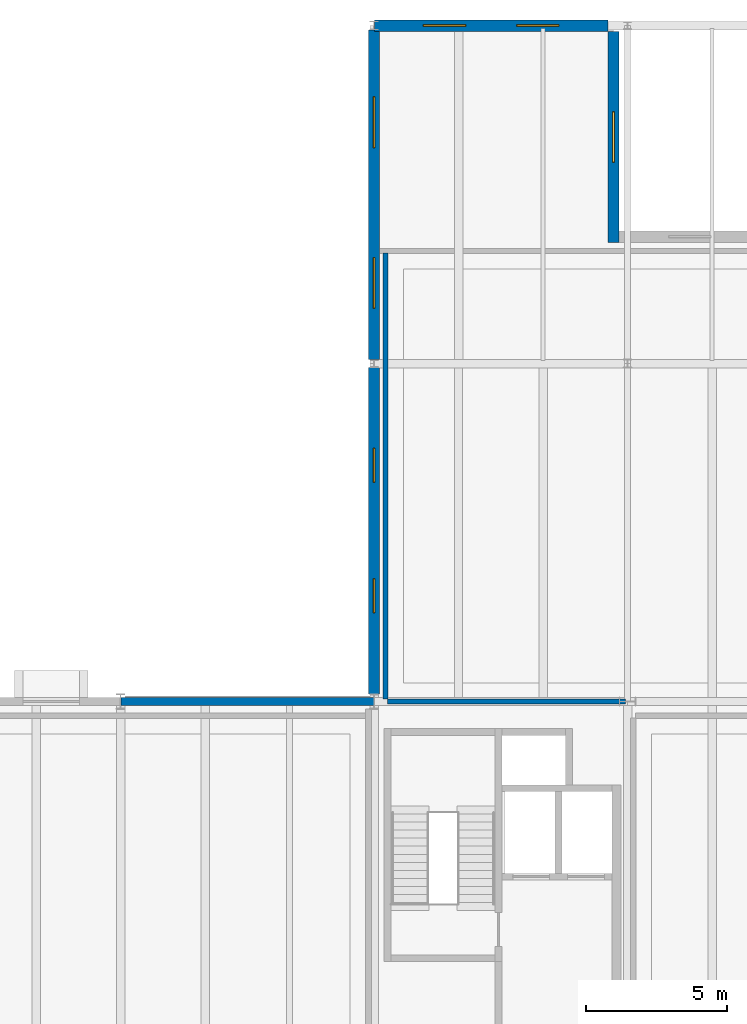
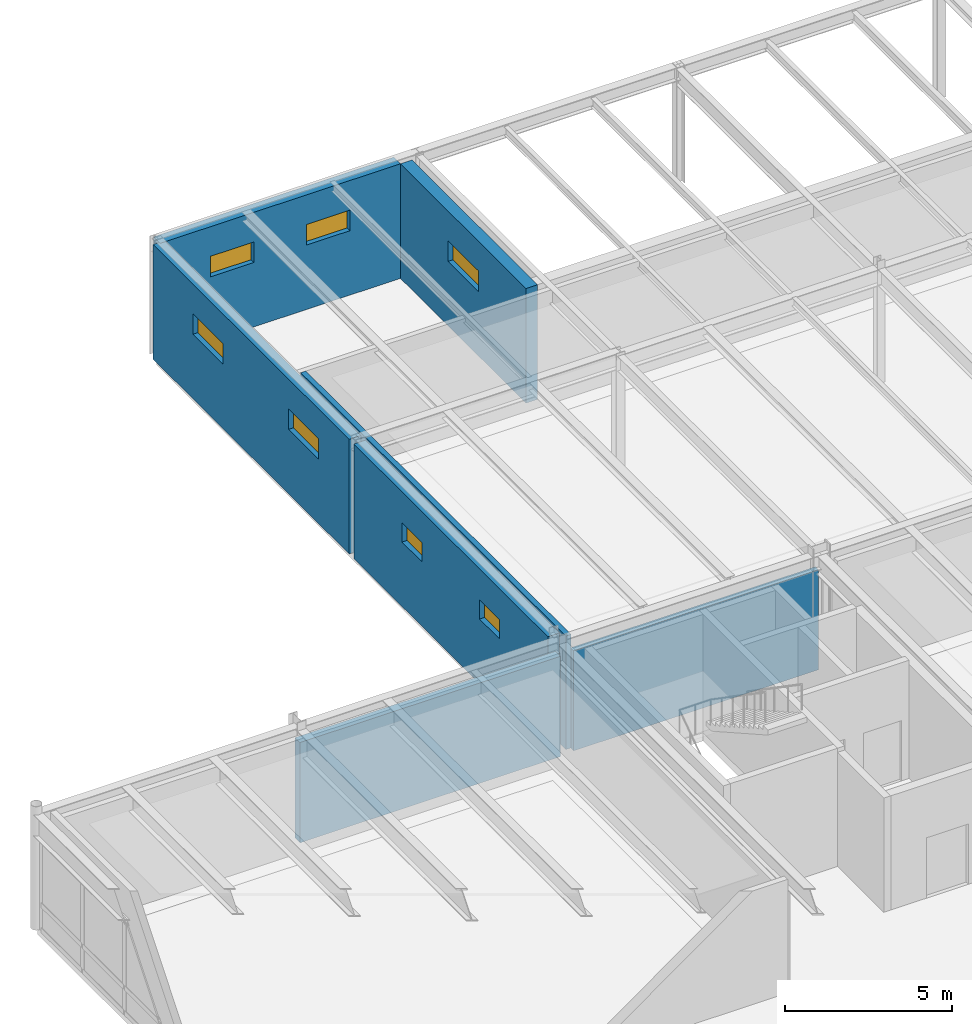
# One storey, part 115 of 127: 7 walls, 7 windows, 7 openings.
"""IFC4 building model written with IfcOpenShell, lengths in metres."""

import ifcopenshell
import ifcopenshell.guid

model = None  # the IFC model being written
_history = None  # IfcOwnerHistory: only IFC2X3 demands one
_inside = {}  # id of a spatial element -> (the spatial element, [elements in it])
_under = {}  # id of a project, library or spatial element -> (it, [spatial elements below it])
_declared = {}  # id of a project -> (the project, [libraries it declares])
_typed = {}  # id of a type object -> (the type object, [elements of that type])
_made_of = {}  # id of a material, layer set ... -> (it, [elements and type objects made of it])


def new_model(schema):
    """Start an empty IFC model of exactly this schema.

    Asked for "IFC4X3", IfcOpenShell would pick the latest addendum, in which some entities
    have other attributes; the version numbers below select the first issue.
    IFC2X3 requires an IfcOwnerHistory on every rooted entity: one is made here for all.
    """
    global model, _history
    if schema == "IFC4X3":
        model = ifcopenshell.file(schema_version=(4, 3, 0, 0))
    else:
        model = ifcopenshell.file(schema=schema)
    _inside.clear()
    _under.clear()
    _declared.clear()
    _typed.clear()
    _made_of.clear()
    _history = None
    if model.schema == "IFC2X3":
        org = make("IfcOrganization", Name="unknown")
        user = make(
            "IfcPersonAndOrganization",
            ThePerson=make("IfcPerson", FamilyName="unknown"),
            TheOrganization=org,
        )
        app = make(
            "IfcApplication",
            ApplicationDeveloper=org,
            Version="unknown",
            ApplicationFullName="unknown",
            ApplicationIdentifier="unknown",
        )
        _history = make(
            "IfcOwnerHistory",
            OwningUser=user,
            OwningApplication=app,
            ChangeAction="ADDED",
            CreationDate=0,
        )
    return model


def make(cls, **values):
    """One entity of the class cls with the attributes given. An attribute that is None is left unset."""
    return model.create_entity(
        cls, **{name: value for name, value in values.items() if value is not None}
    )


def rooted(cls, **values):
    """An entity with a GlobalId (a new one), such as an element, a storey or a relation."""
    return make(cls, GlobalId=ifcopenshell.guid.new(), OwnerHistory=_history, **values)


def si_unit(unit_type, name, prefix=None):
    """IfcSIUnit, for example si_unit("LENGTHUNIT", "METRE", prefix="MILLI")."""
    return make("IfcSIUnit", UnitType=unit_type, Prefix=prefix, Name=name)


def assignment(units):
    """IfcUnitAssignment: the units of a project."""
    return None if units is None else make("IfcUnitAssignment", Units=units)


def point(xyz):
    """IfcCartesianPoint."""
    return None if xyz is None else make("IfcCartesianPoint", Coordinates=xyz)


def direction(xyz):
    """IfcDirection."""
    return None if xyz is None else make("IfcDirection", DirectionRatios=xyz)


def frame(location, z_axis=None, x_axis=None):
    """IfcAxis2Placement3D, a coordinate frame: its origin and axes. An axis left out is left unset."""
    return make(
        "IfcAxis2Placement3D",
        Location=point(location),
        Axis=direction(z_axis),
        RefDirection=direction(x_axis),
    )


def frame_2d(location, x_axis=None):
    """IfcAxis2Placement2D, a coordinate frame in the plane: its origin and x axis."""
    return make(
        "IfcAxis2Placement2D", Location=point(location), RefDirection=direction(x_axis)
    )


def origin():
    """The frame at (0, 0, 0) with its axes left unset."""
    return frame((0.0, 0.0, 0.0))


def place(relative_to, where):
    """IfcLocalPlacement: puts the frame where relative to a parent placement (None: the world)."""
    return make(
        "IfcLocalPlacement", PlacementRelTo=relative_to, RelativePlacement=where
    )


def context(
    kind, dimensions, precision=None, world=None, true_north=None, identifier=None
):
    """IfcGeometricRepresentationContext, for example the 3D "Model" context."""
    return make(
        "IfcGeometricRepresentationContext",
        ContextIdentifier=identifier,
        ContextType=kind,
        CoordinateSpaceDimension=dimensions,
        Precision=precision,
        WorldCoordinateSystem=world,
        TrueNorth=true_north,
    )


def subcontext(parent, identifier, kind, view, scale=None):
    """IfcGeometricRepresentationSubContext, for example "Body" below "Model"."""
    return make(
        "IfcGeometricRepresentationSubContext",
        ContextIdentifier=identifier,
        ContextType=kind,
        ParentContext=parent,
        TargetScale=scale,
        TargetView=view,
    )


def project(units=None, contexts=None):
    """IfcProject with its units and contexts."""
    return rooted(
        "IfcProject",
        Name="project",
        RepresentationContexts=contexts,
        UnitsInContext=assignment(units),
    )


def spatial(cls, under=None, at=None, **own):
    """A site, building, storey or space (cls), placed at a placement, below another one or the project."""
    s = rooted(cls, ObjectPlacement=at, **own)
    if under is not None:
        _under.setdefault(under.id(), (under, []))[1].append(s)
    return s


def profile(cls, at=None, kind="AREA", **sizes):
    """A parametric profile (cls). Its sizes go by their IFC names, for example OverallWidth=200.0."""
    return make(cls, ProfileType=kind, Position=at, **sizes)


def rectangle(**sizes):
    """IfcRectangleProfileDef."""
    return profile("IfcRectangleProfileDef", **sizes)


def extrude(swept, where, along, depth):
    """IfcExtrudedAreaSolid: the profile swept, set in the frame where, extruded along a direction by depth."""
    return make(
        "IfcExtrudedAreaSolid",
        SweptArea=swept,
        Position=where,
        ExtrudedDirection=direction(along),
        Depth=depth,
    )


def shape(context_of_items, identifier, shape_type, items):
    """IfcShapeRepresentation: the items that make up one representation, for example the "Body"."""
    return make(
        "IfcShapeRepresentation",
        ContextOfItems=context_of_items,
        RepresentationIdentifier=identifier,
        RepresentationType=shape_type,
        Items=items,
    )


def material(Name=None, Category=None):
    """IfcMaterial."""
    return make("IfcMaterial", Name=Name, Category=Category)


def layer(
    of_material, thickness, ventilated=None, Name=None, Category=None, Priority=None
):
    """IfcMaterialLayer: one layer of a wall or slab, of a material (None: an air gap)."""
    return make(
        "IfcMaterialLayer",
        Material=of_material,
        LayerThickness=thickness,
        IsVentilated=ventilated,
        Name=Name,
        Category=Category,
        Priority=Priority,
    )


def layer_set(layers, Name=None):
    """IfcMaterialLayerSet."""
    return make("IfcMaterialLayerSet", MaterialLayers=layers, LayerSetName=Name)


def made_of(thing, what):
    """Note that an element or type object is made of a material, layer set ...; save() writes the relation."""
    if what is not None:
        _made_of.setdefault(what.id(), (what, []))[1].append(thing)
    return thing


def type_object(cls, material=None, **own):
    """A type object (cls), such as IfcWallType, which elements share."""
    return made_of(rooted(cls, **own), material)


def element(
    cls,
    number,
    at=None,
    inside=None,
    cuts=None,
    type_object=None,
    material=None,
    context=None,
    identifier="Body",
    shape_type=None,
    held_by="IfcProductDefinitionShape",
    body=None,
    shapes=None,
    **own,
):
    """One element of the class cls, such as IfcWall. Its Tag is "e" and its number.

    at: its placement. inside: the storey or other place that contains it. cuts: it is an
    opening in that element (IfcRelVoidsElement). A single representation is given by context,
    identifier, shape_type and body (its items); several are given by shapes. held_by: the class
    of the entity that holds the representations. save() writes the other relations.
    """
    e = rooted(cls, Tag="e%d" % number, ObjectPlacement=at, **own)
    if body is not None:
        shapes = [shape(context, identifier, shape_type, body)]
    if shapes is not None:
        e.Representation = make(held_by, Representations=shapes)
    if inside is not None:
        _inside.setdefault(inside.id(), (inside, []))[1].append(e)
    if cuts is not None:
        rooted(
            "IfcRelVoidsElement", RelatingBuildingElement=cuts, RelatedOpeningElement=e
        )
    if type_object is not None:
        _typed.setdefault(type_object.id(), (type_object, []))[1].append(e)
    return made_of(e, material)


def fill(opening, filler):
    """IfcRelFillsElement: the door or window that sits in an opening."""
    return rooted(
        "IfcRelFillsElement",
        RelatingOpeningElement=opening,
        RelatedBuildingElement=filler,
    )


def aggregate(whole, parts):
    """IfcRelAggregates: a whole, such as a stair, and the parts it consists of."""
    return rooted("IfcRelAggregates", RelatingObject=whole, RelatedObjects=parts)


def save(model, path):
    """Write the relations noted so far, then the file.

    IfcRelAggregates (storeys below a building ...), IfcRelContainedInSpatialStructure (elements
    in a storey), IfcRelDefinesByType, IfcRelAssociatesMaterial and IfcRelDeclares: one each for
    every whole, place, type object, material and project.
    """
    for whole, parts in _under.values():
        aggregate(whole, parts)
    for where, things in _inside.values():
        rooted(
            "IfcRelContainedInSpatialStructure",
            RelatedElements=things,
            RelatingStructure=where,
        )
    for kind, things in _typed.values():
        rooted("IfcRelDefinesByType", RelatedObjects=things, RelatingType=kind)
    for what, things in _made_of.values():
        rooted("IfcRelAssociatesMaterial", RelatedObjects=things, RelatingMaterial=what)
    for by, libraries in _declared.values():
        rooted("IfcRelDeclares", RelatingContext=by, RelatedDefinitions=libraries)
    model.write(path)


model = new_model("IFC4")

# Units and contexts
model_context = context("Model", 3, precision=1e-05, world=origin(), true_north=direction((0.0, 1.0)))
body_context = subcontext(model_context, "Body", "Model", "MODEL_VIEW")
ifc_project = project(units=[si_unit("LENGTHUNIT", "METRE"), si_unit("AREAUNIT", "SQUARE_METRE"), si_unit("VOLUMEUNIT", "CUBIC_METRE"), si_unit("PLANEANGLEUNIT", "RADIAN"), si_unit("MASSUNIT", "GRAM", prefix="KILO")], contexts=[model_context])

# Site, building, storey
site_placement = place(None, origin())
site = spatial("IfcSite", under=ifc_project, at=site_placement, CompositionType="ELEMENT")
building_placement = place(site_placement, origin())
building = spatial("IfcBuilding", under=site, at=building_placement, Name="Montelvaro Courts of Justice", CompositionType="ELEMENT")
storey_placement = place(building_placement, frame((0.0, 0.0, 5.39990234375)))
storey = spatial("IfcBuildingStorey", under=building, at=storey_placement, Name="L01", CompositionType="ELEMENT", Elevation=5.39990234375)

# Walls
ifc_material_1 = material(Name="Fire-rated gypsum and steel stud", Category="steel")
ifc_layer_1 = layer(ifc_material_1, 0.179931640625)
ifc_layer_set_1 = layer_set([ifc_layer_1], Name="Fire-rated gypsum and steel stud")
wall_type_1 = type_object("IfcWallType", Name="CorridorFireWall_180", PredefinedType="PARTITIONING", material=ifc_layer_set_1)
wall_1_placement = place(storey_placement, frame((125.919921875, 96.0, 0.0), z_axis=(0.0, 0.0, 1.0), x_axis=(-1.0, 0.0, 0.0)))
element("IfcWall", 1, at=wall_1_placement, inside=storey, type_object=wall_type_1, Name="Interior Partition IW-02 (L01)", PredefinedType="PARTITIONING", context=body_context, shape_type="SweptSolid", body=[
    extrude(rectangle(XDim=8.43994140625, YDim=0.179931640625, at=frame_2d((4.219970703125, 0.0))), origin(), (0.0, 0.0, 1.0), 3.655029296875),
])
wall_2_placement = place(storey_placement, frame((117.39990234375, 96.080078125, 0.0), z_axis=(0.0, 0.0, 1.0), x_axis=(0.0, 1.0, 0.0)))
element("IfcWall", 2, at=wall_2_placement, inside=storey, type_object=wall_type_1, Name="Interior Partition IW-02 (L01)", PredefinedType="PARTITIONING", context=body_context, shape_type="SweptSolid", body=[
    extrude(rectangle(XDim=15.83984375, YDim=0.179931640625, at=frame_2d((7.919921875, 0.0))), origin(), (0.0, 0.0, 1.0), 4.14013671875),
])

# Wall, opening, window
ifc_material_2 = material(Name="Concrete C40/50", Category="concrete")
ifc_layer_2 = layer(ifc_material_2, 0.39990234375)
ifc_layer_set_2 = layer_set([ifc_layer_2], Name="Concrete C40/50")
wall_type_2 = type_object("IfcWallType", Name="ExtWall_Custody_400", PredefinedType="SOLIDWALL", material=ifc_layer_set_2)
wall_3_placement = place(storey_placement, frame((125.5, 112.300048828125, 0.0), z_axis=(0.0, 0.0, 1.0), x_axis=(0.0, 1.0, 0.0)))
wall_3 = element("IfcWall", 3, at=wall_3_placement, inside=storey, type_object=wall_type_2, Name="Exterior Facade Wall EW-04 (L01)", PredefinedType="SOLIDWALL", context=body_context, shape_type="SweptSolid", body=[
    extrude(rectangle(XDim=7.5, YDim=0.39990234375, at=frame_2d((3.75, 0.0))), origin(), (0.0, 0.0, 1.0), 4.18017578125),
])
opening_1_placement = place(wall_3_placement, frame((2.85009765625, 0.0, 2.35009765625)))
opening_1 = element("IfcOpeningElement", 4, at=opening_1_placement, cuts=wall_3, Name="Opening WE-28", PredefinedType="OPENING", context=body_context, shape_type="SweptSolid", body=[
    extrude(rectangle(XDim=1.800048828125, YDim=0.75, at=frame_2d((0.89990234375, 0.375))), frame((0.0, 0.21484375, 0.0), z_axis=(0.0, -1.0, 0.0), x_axis=(1.0, 0.0, 0.0)), (0.0, 0.0, 1.0), 0.4296875),
])
ifc_material_3 = material(Name="Low-E solar control double glazing", Category="glass")
window_type_1 = type_object("IfcWindowType", Name="Win_Slot_180x075", PartitioningType="SINGLE_PANEL", PredefinedType="WINDOW", material=ifc_material_3)
window_1_placement = place(opening_1_placement, origin())
window_1 = element("IfcWindow", 5, at=window_1_placement, inside=storey, type_object=window_type_1, Name="Window W-L01-088", OverallHeight=0.75, OverallWidth=1.800048828125, PartitioningType="SINGLE_PANEL", PredefinedType="WINDOW", context=body_context, shape_type="SweptSolid", body=[
    extrude(rectangle(XDim=1.800048828125, YDim=0.75, at=frame_2d((0.89990234375, 0.375))), frame((0.0, 0.030029296875, 0.0), z_axis=(0.0, -1.0, 0.0), x_axis=(1.0, 0.0, 0.0)), (0.0, 0.0, 1.0), 0.06005859375),
])
fill(opening_1, window_1)

# Wall, openings, windows
wall_4_placement = place(storey_placement, frame((125.300048828125, 120.0, 0.0), z_axis=(0.0, 0.0, 1.0), x_axis=(-1.0, 0.0, 0.0)))
wall_4 = element("IfcWall", 6, at=wall_4_placement, inside=storey, type_object=wall_type_2, Name="Exterior Facade Wall EW-04 (L01)", PredefinedType="SOLIDWALL", context=body_context, shape_type="SweptSolid", body=[
    extrude(rectangle(XDim=8.2919921875, YDim=0.39990234375, at=frame_2d((4.14599609375, 0.0))), origin(), (0.0, 0.0, 1.0), 4.18017578125),
])
opening_2_placement = place(wall_4_placement, frame((1.738037109375, 0.0, 2.35009765625)))
opening_2 = element("IfcOpeningElement", 7, at=opening_2_placement, cuts=wall_4, Name="Opening WE-29", PredefinedType="OPENING", context=body_context, shape_type="SweptSolid", body=[
    extrude(rectangle(XDim=1.5, YDim=0.75, at=frame_2d((0.75, 0.375))), frame((0.0, 0.21484375, 0.0), z_axis=(0.0, -1.0, 0.0), x_axis=(1.0, 0.0, 0.0)), (0.0, 0.0, 1.0), 0.4296875),
])
opening_3_placement = place(wall_4_placement, frame((5.053955078125, 0.0, 2.35009765625)))
opening_3 = element("IfcOpeningElement", 8, at=opening_3_placement, cuts=wall_4, Name="Opening WE-29", PredefinedType="OPENING", context=body_context, shape_type="SweptSolid", body=[
    extrude(rectangle(XDim=1.5, YDim=0.75, at=frame_2d((0.75, 0.375))), frame((0.0, 0.21484375, 0.0), z_axis=(0.0, -1.0, 0.0), x_axis=(1.0, 0.0, 0.0)), (0.0, 0.0, 1.0), 0.4296875),
])
window_type_2 = type_object("IfcWindowType", Name="Win_Slot_150x075", PartitioningType="SINGLE_PANEL", PredefinedType="WINDOW", material=ifc_material_3)
window_2_placement = place(opening_2_placement, origin())
window_2 = element("IfcWindow", 9, at=window_2_placement, inside=storey, type_object=window_type_2, Name="Window W-L01-089", OverallHeight=0.75, OverallWidth=1.5, PartitioningType="SINGLE_PANEL", PredefinedType="WINDOW", context=body_context, shape_type="SweptSolid", body=[
    extrude(rectangle(XDim=1.5, YDim=0.75, at=frame_2d((0.75, 0.375))), frame((0.0, 0.030029296875, 0.0), z_axis=(0.0, -1.0, 0.0), x_axis=(1.0, 0.0, 0.0)), (0.0, 0.0, 1.0), 0.06005859375),
])
fill(opening_2, window_2)
window_3_placement = place(opening_3_placement, origin())
window_3 = element("IfcWindow", 10, at=window_3_placement, inside=storey, type_object=window_type_2, Name="Window W-L01-090", OverallHeight=0.75, OverallWidth=1.5, PartitioningType="SINGLE_PANEL", PredefinedType="WINDOW", context=body_context, shape_type="SweptSolid", body=[
    extrude(rectangle(XDim=1.5, YDim=0.75, at=frame_2d((0.75, 0.375))), frame((0.0, 0.030029296875, 0.0), z_axis=(0.0, -1.0, 0.0), x_axis=(1.0, 0.0, 0.0)), (0.0, 0.0, 1.0), 0.06005859375),
])
fill(opening_3, window_3)

wall_5_placement = place(storey_placement, frame((117.0, 119.85205078125, 0.0), z_axis=(0.0, 0.0, 1.0), x_axis=(0.0, -1.0, 0.0)))
wall_5 = element("IfcWall", 11, at=wall_5_placement, inside=storey, type_object=wall_type_2, Name="Exterior Facade Wall EW-04 (L01)", PredefinedType="SOLIDWALL", context=body_context, shape_type="SweptSolid", body=[
    extrude(rectangle(XDim=11.714111328125, YDim=0.39990234375, at=frame_2d((5.85693359375, 0.0))), origin(), (0.0, 0.0, 1.0), 4.18017578125),
])
opening_4_placement = place(wall_5_placement, frame((2.3798828125, 0.0, 2.35009765625)))
opening_4 = element("IfcOpeningElement", 12, at=opening_4_placement, cuts=wall_5, Name="Opening WE-28", PredefinedType="OPENING", context=body_context, shape_type="SweptSolid", body=[
    extrude(rectangle(XDim=1.800048828125, YDim=0.75, at=frame_2d((0.89990234375, 0.375))), frame((0.0, 0.21484375, 0.0), z_axis=(0.0, -1.0, 0.0), x_axis=(1.0, 0.0, 0.0)), (0.0, 0.0, 1.0), 0.4296875),
])
opening_5_placement = place(wall_5_placement, frame((8.092041015625, 0.0, 2.35009765625)))
opening_5 = element("IfcOpeningElement", 13, at=opening_5_placement, cuts=wall_5, Name="Opening WE-28", PredefinedType="OPENING", context=body_context, shape_type="SweptSolid", body=[
    extrude(rectangle(XDim=1.800048828125, YDim=0.75, at=frame_2d((0.89990234375, 0.375))), frame((0.0, 0.21484375, 0.0), z_axis=(0.0, -1.0, 0.0), x_axis=(1.0, 0.0, 0.0)), (0.0, 0.0, 1.0), 0.4296875),
])
window_4_placement = place(opening_4_placement, origin())
window_4 = element("IfcWindow", 14, at=window_4_placement, inside=storey, type_object=window_type_1, Name="Window W-L01-091", OverallHeight=0.75, OverallWidth=1.800048828125, PartitioningType="SINGLE_PANEL", PredefinedType="WINDOW", context=body_context, shape_type="SweptSolid", body=[
    extrude(rectangle(XDim=1.800048828125, YDim=0.75, at=frame_2d((0.89990234375, 0.375))), frame((0.0, 0.030029296875, 0.0), z_axis=(0.0, -1.0, 0.0), x_axis=(1.0, 0.0, 0.0)), (0.0, 0.0, 1.0), 0.06005859375),
])
fill(opening_4, window_4)
window_5_placement = place(opening_5_placement, origin())
window_5 = element("IfcWindow", 15, at=window_5_placement, inside=storey, type_object=window_type_1, Name="Window W-L01-092", OverallHeight=0.75, OverallWidth=1.800048828125, PartitioningType="SINGLE_PANEL", PredefinedType="WINDOW", context=body_context, shape_type="SweptSolid", body=[
    extrude(rectangle(XDim=1.800048828125, YDim=0.75, at=frame_2d((0.89990234375, 0.375))), frame((0.0, 0.030029296875, 0.0), z_axis=(0.0, -1.0, 0.0), x_axis=(1.0, 0.0, 0.0)), (0.0, 0.0, 1.0), 0.06005859375),
])
fill(opening_5, window_5)

wall_6_placement = place(storey_placement, frame((117.0, 107.862060546875, 0.0), z_axis=(0.0, 0.0, 1.0), x_axis=(0.0, -1.0, 0.0)))
wall_6 = element("IfcWall", 16, at=wall_6_placement, inside=storey, type_object=wall_type_2, Name="Exterior Facade Wall EW-04 (L01)", PredefinedType="SOLIDWALL", context=body_context, shape_type="SweptSolid", body=[
    extrude(rectangle(XDim=11.589111328125, YDim=0.39990234375, at=frame_2d((5.79443359375, 0.0))), origin(), (0.0, 0.0, 1.0), 4.18017578125),
])
opening_6_placement = place(wall_6_placement, frame((2.876953125, 0.0, 2.35009765625)))
opening_6 = element("IfcOpeningElement", 17, at=opening_6_placement, cuts=wall_6, Name="Opening WE-30", PredefinedType="OPENING", context=body_context, shape_type="SweptSolid", body=[
    extrude(rectangle(XDim=1.199951171875, YDim=0.699951171875, at=frame_2d((0.60009765625, 0.35009765625))), frame((0.0, 0.21484375, 0.0), z_axis=(0.0, -1.0, 0.0), x_axis=(1.0, 0.0, 0.0)), (0.0, 0.0, 1.0), 0.4296875),
])
opening_7_placement = place(wall_6_placement, frame((7.511962890625, 0.0, 2.35009765625)))
opening_7 = element("IfcOpeningElement", 18, at=opening_7_placement, cuts=wall_6, Name="Opening WE-30", PredefinedType="OPENING", context=body_context, shape_type="SweptSolid", body=[
    extrude(rectangle(XDim=1.199951171875, YDim=0.699951171875, at=frame_2d((0.60009765625, 0.35009765625))), frame((0.0, 0.21484375, 0.0), z_axis=(0.0, -1.0, 0.0), x_axis=(1.0, 0.0, 0.0)), (0.0, 0.0, 1.0), 0.4296875),
])
window_type_3 = type_object("IfcWindowType", Name="Win_Slot_120x070", PartitioningType="SINGLE_PANEL", PredefinedType="WINDOW", material=ifc_material_3)
window_6_placement = place(opening_6_placement, origin())
window_6 = element("IfcWindow", 19, at=window_6_placement, inside=storey, type_object=window_type_3, Name="Window W-L01-093", OverallHeight=0.699951171875, OverallWidth=1.199951171875, PartitioningType="SINGLE_PANEL", PredefinedType="WINDOW", context=body_context, shape_type="SweptSolid", body=[
    extrude(rectangle(XDim=1.199951171875, YDim=0.699951171875, at=frame_2d((0.60009765625, 0.35009765625))), frame((0.0, 0.030029296875, 0.0), z_axis=(0.0, -1.0, 0.0), x_axis=(1.0, 0.0, 0.0)), (0.0, 0.0, 1.0), 0.06005859375),
])
fill(opening_6, window_6)
window_7_placement = place(opening_7_placement, origin())
window_7 = element("IfcWindow", 20, at=window_7_placement, inside=storey, type_object=window_type_3, Name="Window W-L01-094", OverallHeight=0.699951171875, OverallWidth=1.199951171875, PartitioningType="SINGLE_PANEL", PredefinedType="WINDOW", context=body_context, shape_type="SweptSolid", body=[
    extrude(rectangle(XDim=1.199951171875, YDim=0.699951171875, at=frame_2d((0.60009765625, 0.35009765625))), frame((0.0, 0.030029296875, 0.0), z_axis=(0.0, -1.0, 0.0), x_axis=(1.0, 0.0, 0.0)), (0.0, 0.0, 1.0), 0.06005859375),
])
fill(opening_7, window_7)

# Wall
ifc_material_4 = material(Name="White mineral precast concrete C45/55", Category="concrete")
ifc_layer_3 = layer(ifc_material_4, 0.300048828125)
ifc_layer_set_3 = layer_set([ifc_layer_3], Name="White mineral precast concrete C45/55")
wall_type_3 = type_object("IfcWallType", Name="ExtWall_GFRC_300", PredefinedType="SOLIDWALL", material=ifc_layer_set_3)
wall_7_placement = place(storey_placement, frame((116.991943359375, 96.0, 0.0), z_axis=(0.0, 0.0, 1.0), x_axis=(-1.0, 0.0, 0.0)))
element("IfcWall", 21, at=wall_7_placement, inside=storey, type_object=wall_type_3, Name="Exterior Facade Wall EW-02 (L01)", PredefinedType="SOLIDWALL", context=body_context, shape_type="SweptSolid", body=[
    extrude(rectangle(XDim=8.98388671875, YDim=0.300048828125, at=frame_2d((4.491943359375, 0.0))), origin(), (0.0, 0.0, 1.0), 3.655029296875),
])

save(model, "model.ifc")
